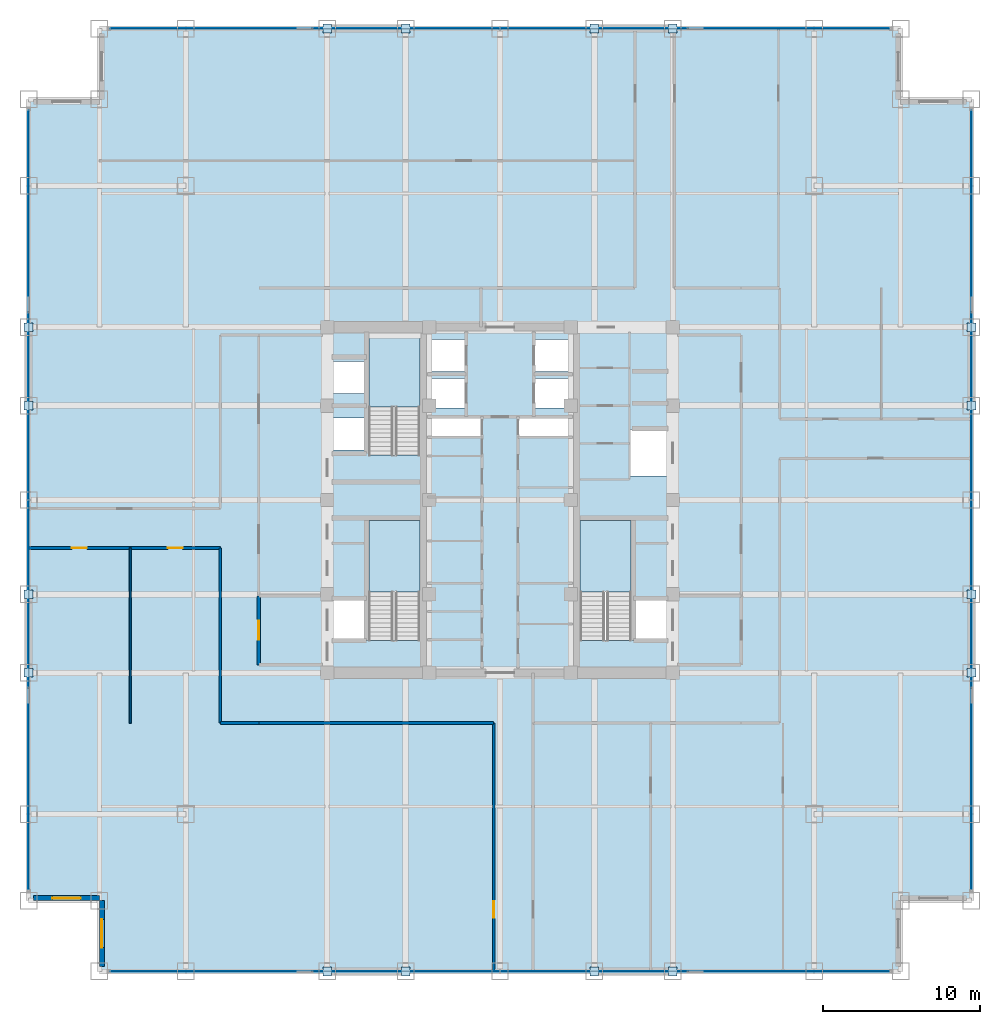
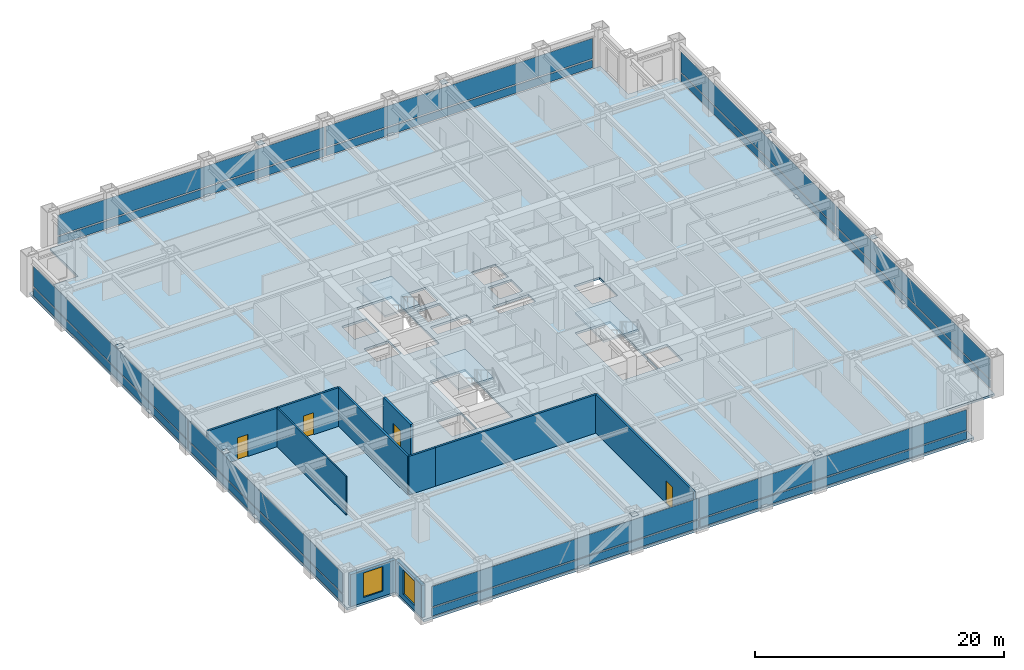
# One storey, part 19 of 25: 32 plates, 9 walls, 4 doors, 4 slabs, 2 windows, 6 openings, 7 elements without a shape of their own.
"""IFC4 building model written with IfcOpenShell, lengths in metres."""

from ifc_helpers import new_model, si_unit, direction, frame, frame_2d, origin, origin_2d, place, context, subcontext, project, spatial, polyline, rectangle, outline, extrude, source, transform, mapped, material, layer, layer_set, type_object, element, fill, aggregate, save


model = new_model("IFC4")

# Units and contexts
model_context = context("Model", 3, precision=1e-05, world=origin(), true_north=direction((0.0, 1.0)))
body_context = subcontext(model_context, "Body", "Model", "MODEL_VIEW")
ifc_project = project(units=[si_unit("LENGTHUNIT", "METRE"), si_unit("AREAUNIT", "SQUARE_METRE"), si_unit("VOLUMEUNIT", "CUBIC_METRE"), si_unit("PLANEANGLEUNIT", "RADIAN"), si_unit("MASSUNIT", "GRAM", prefix="KILO")], contexts=[model_context])

# Site, building, storey
site_placement = place(None, origin())
site = spatial("IfcSite", under=ifc_project, at=site_placement, CompositionType="ELEMENT")
building_placement = place(site_placement, origin())
building = spatial("IfcBuilding", under=site, at=building_placement, Name="Khorayat Bourse Tower", CompositionType="ELEMENT")
storey_placement = place(building_placement, frame((0.0, 0.0, 195.10009765625)))
storey = spatial("IfcBuildingStorey", under=building, at=storey_placement, Name="L45", CompositionType="ELEMENT", Elevation=195.10009765625)

# Stair, slab
ifc_material_1 = material(Name="Concrete C40/50", Category="concrete")
stair_type = type_object("IfcStairType", Name="STR-CORE-1550", PredefinedType="HALF_TURN_STAIR", material=ifc_material_1)
stair_1_placement = place(storey_placement, origin())
stair_1 = element("IfcStair", 1, at=stair_1_placement, inside=storey, type_object=stair_type, Name="L45 Exit Stair ST-1", PredefinedType="HALF_TURN_STAIR")
ifc_layer_1 = layer(ifc_material_1, 0.199951171875)
ifc_layer_set_1 = layer_set([ifc_layer_1], Name="Concrete C40/50")
slab_type_1 = type_object("IfcSlabType", Name="SLB-LANDING-200", PredefinedType="LANDING", material=ifc_layer_set_1)
slab_1_placement = place(storey_placement, frame((0.0, 0.0, 1.7998046875)))
slab_1 = element("IfcSlab", 2, at=slab_1_placement, type_object=slab_type_1, Name="ST-1 landing 1", PredefinedType="LANDING", context=body_context, shape_type="SweptSolid", body=[
    extrude(outline(polyline([(-5.10009765625, -5.8701171875), (-5.10009765625, -1.300048828125), (-8.35009765625, -1.300048828125), (-8.35009765625, -5.8701171875), (-5.10009765625, -5.8701171875)])), origin(), (0.0, 0.0, 1.0), 0.2001953125),
])
aggregate(stair_1, [slab_1])

stair_2_placement = place(storey_placement, origin())
stair_2 = element("IfcStair", 3, at=stair_2_placement, inside=storey, type_object=stair_type, Name="L45 Exit Stair ST-2", PredefinedType="HALF_TURN_STAIR")
slab_2_placement = place(storey_placement, frame((0.0, 0.0, 1.7998046875)))
slab_2 = element("IfcSlab", 4, at=slab_2_placement, type_object=slab_type_1, Name="ST-2 landing 1", PredefinedType="LANDING", context=body_context, shape_type="SweptSolid", body=[
    extrude(outline(polyline([(-5.10009765625, 5.929931640625), (-5.10009765625, 10.5), (-8.35009765625, 10.5), (-8.35009765625, 5.929931640625), (-5.10009765625, 5.929931640625)])), origin(), (0.0, 0.0, 1.0), 0.2001953125),
])
aggregate(stair_2, [slab_2])

stair_3_placement = place(storey_placement, origin())
stair_3 = element("IfcStair", 5, at=stair_3_placement, inside=storey, type_object=stair_type, Name="L45 Exit Stair ST-3", PredefinedType="HALF_TURN_STAIR")
slab_3_placement = place(storey_placement, frame((0.0, 0.0, 1.7998046875)))
slab_3 = element("IfcSlab", 6, at=slab_3_placement, type_object=slab_type_1, Name="ST-3 landing 1", PredefinedType="LANDING", context=body_context, shape_type="SweptSolid", body=[
    extrude(outline(polyline([(8.35009765625, -5.8701171875), (8.35009765625, -1.300048828125), (5.10009765625, -1.300048828125), (5.10009765625, -5.8701171875), (8.35009765625, -5.8701171875)])), origin(), (0.0, 0.0, 1.0), 0.2001953125),
])
aggregate(stair_3, [slab_3])

# Slab
ifc_layer_2 = layer(ifc_material_1, 0.219970703125)
ifc_layer_set_2 = layer_set([ifc_layer_2], Name="Concrete C40/50")
slab_type_2 = type_object("IfcSlabType", Name="SLB-OFFICE-220", PredefinedType="FLOOR", material=ifc_layer_set_2)
slab_4_placement = place(storey_placement, frame((0.0, 0.0, -0.22021484375)))
element("IfcSlab", 7, at=slab_4_placement, inside=storey, type_object=slab_type_2, Name="L45 Main Floor Slab", PredefinedType="FLOOR", context=body_context, shape_type="SweptSolid", body=[
    extrude(outline(polyline([(-25.5, -30.0), (25.5, -30.0), (25.5, -25.5), (30.0, -25.5), (30.0, 25.5), (25.5, 25.5), (25.5, 30.0), (-25.5, 30.0), (-25.5, 25.5), (-30.0, 25.5), (-30.0, -25.5), (-25.5, -25.5), (-25.5, -30.0)]), holes=[polyline([(-8.35009765625, -8.945068359375), (-5.10009765625, -8.945068359375), (-5.10009765625, -1.300048828125), (-8.35009765625, -1.300048828125), (-8.35009765625, -8.945068359375)]), polyline([(-8.35009765625, 2.85498046875), (-5.10009765625, 2.85498046875), (-5.10009765625, 10.5), (-8.35009765625, 10.5), (-8.35009765625, 2.85498046875)]), polyline([(5.10009765625, -8.945068359375), (8.35009765625, -8.945068359375), (8.35009765625, -1.300048828125), (5.10009765625, -1.300048828125), (5.10009765625, -8.945068359375)]), polyline([(-4.3798828125, 8.169921875), (-2.1201171875, 8.169921875), (-2.1201171875, 10.22998046875), (-4.3798828125, 10.22998046875), (-4.3798828125, 8.169921875)]), polyline([(2.1201171875, 8.169921875), (4.3798828125, 8.169921875), (4.3798828125, 10.22998046875), (2.1201171875, 10.22998046875), (2.1201171875, 8.169921875)]), polyline([(-4.3798828125, 5.8701171875), (-2.219970703125, 5.8701171875), (-2.219970703125, 7.72998046875), (-4.3798828125, 7.72998046875), (-4.3798828125, 5.8701171875)]), polyline([(2.219970703125, 5.8701171875), (4.3798828125, 5.8701171875), (4.3798828125, 7.72998046875), (2.219970703125, 7.72998046875), (2.219970703125, 5.8701171875)]), polyline([(-10.679931640625, 3.169921875), (-8.419921875, 3.169921875), (-8.419921875, 5.22998046875), (-10.679931640625, 5.22998046875), (-10.679931640625, 3.169921875)]), polyline([(-10.679931640625, 6.77001953125), (-8.419921875, 6.77001953125), (-8.419921875, 8.830078125), (-10.679931640625, 8.830078125), (-10.679931640625, 6.77001953125)]), polyline([(-10.679931640625, -8.929931640625), (-8.419921875, -8.929931640625), (-8.419921875, -6.3701171875), (-10.679931640625, -6.3701171875), (-10.679931640625, -8.929931640625)]), polyline([(8.419921875, -8.929931640625), (10.679931640625, -8.929931640625), (10.679931640625, -6.3701171875), (8.419921875, -6.3701171875), (8.419921875, -8.929931640625)]), polyline([(8.320068359375, 1.52001953125), (10.679931640625, 1.52001953125), (10.679931640625, 4.47998046875), (8.320068359375, 4.47998046875), (8.320068359375, 1.52001953125)]), polyline([(-4.56005859375, 4.080078125), (-1.18994140625, 4.080078125), (-1.18994140625, 5.219970703125), (-4.56005859375, 5.219970703125), (-4.56005859375, 4.080078125)]), polyline([(1.18994140625, 4.080078125), (4.56005859375, 4.080078125), (4.56005859375, 5.219970703125), (1.18994140625, 5.219970703125), (1.18994140625, 4.080078125)])]), origin(), (0.0, 0.0, 1.0), 0.22021484375),
])

# Plates
ifc_material_2 = material(Name="Steel EN 10025-2 S355J2", Category="steel")
ifc_layer_3 = layer(ifc_material_2, 0.02490234375)
ifc_layer_set_3 = layer_set([ifc_layer_3], Name="Steel EN 10025-2 S355J2")
plate_type_1 = type_object("IfcPlateType", Name="PLT-ENDCAP-25", PredefinedType="SHEET", material=ifc_layer_set_3)
shared_shape_1 = source(origin(), body_context, "Body", "SweptSolid", [
    extrude(rectangle(XDim=0.56005859375, YDim=0.56005859375, at=origin_2d()), origin(), (0.0, 0.0, 1.0), 0.02490234375),
])
for number, where, z_axis, x_axis, name in (
    (8, (-11.0, -30.0, 0.237548828125), (0.0, 0.0, 1.0), (1.0, 0.0, 0.0), "L45 Perimeter Brace End Plate 001"),
    (9, (-6.0, -30.0, 3.517333984375), (0.0, 0.0, 1.0), (1.0, 0.0, 0.0), "L45 Perimeter Brace End Plate 002"),
    (10, (6.0, -30.0, 0.237548828125), (0.0, 0.0, 1.0), (1.0, 0.0, 0.0), "L45 Perimeter Brace End Plate 003"),
    (11, (11.0, -30.0, 3.517333984375), (0.0, 0.0, 1.0), (1.0, 0.0, 0.0), "L45 Perimeter Brace End Plate 004"),
    (12, (-11.0, 30.0, 0.237548828125), (0.0, 0.0, 1.0), (1.0, 0.0, 0.0), "L45 Perimeter Brace End Plate 005"),
    (13, (-6.0, 30.0, 3.517333984375), (0.0, 0.0, 1.0), (1.0, 0.0, 0.0), "L45 Perimeter Brace End Plate 006"),
    (14, (6.0, 30.0, 0.237548828125), (0.0, 0.0, 1.0), (1.0, 0.0, 0.0), "L45 Perimeter Brace End Plate 007"),
    (15, (11.0, 30.0, 3.517333984375), (0.0, 0.0, 1.0), (1.0, 0.0, 0.0), "L45 Perimeter Brace End Plate 008"),
    (16, (-30.0, -11.0, 0.237548828125), (0.0, 0.0, 1.0), (1.0, 0.0, 0.0), "L45 Perimeter Brace End Plate 009"),
    (17, (-30.0, -6.0, 3.517333984375), (0.0, 0.0, 1.0), (1.0, 0.0, 0.0), "L45 Perimeter Brace End Plate 010"),
    (18, (-30.0, 6.0, 0.237548828125), (0.0, 0.0, 1.0), (1.0, 0.0, 0.0), "L45 Perimeter Brace End Plate 011"),
    (19, (-30.0, 11.0, 3.517333984375), (0.0, 0.0, 1.0), (1.0, 0.0, 0.0), "L45 Perimeter Brace End Plate 012"),
    (20, (30.0, -11.0, 0.237548828125), (0.0, 0.0, 1.0), (1.0, 0.0, 0.0), "L45 Perimeter Brace End Plate 013"),
    (21, (30.0, -6.0, 3.517333984375), (0.0, 0.0, 1.0), (1.0, 0.0, 0.0), "L45 Perimeter Brace End Plate 014"),
    (22, (30.0, 6.0, 0.237548828125), (0.0, 0.0, 1.0), (1.0, 0.0, 0.0), "L45 Perimeter Brace End Plate 015"),
    (23, (30.0, 11.0, 3.517333984375), (0.0, 0.0, 1.0), (1.0, 0.0, 0.0), "L45 Perimeter Brace End Plate 016"),
):
    element("IfcPlate", number, at=place(storey_placement, frame(where, z_axis=z_axis, x_axis=x_axis)), inside=storey, type_object=plate_type_1, Name=name, PredefinedType="SHEET", context=body_context, shape_type="MappedRepresentation", body=[
        mapped(shared_shape_1, transform((0.0, 0.0, 0.0), scale=1.0)),
    ])

# Curtain wall, plates
ifc_material_3 = material(Name="Aluminium EN AW-6063 T6", Category="aluminium")
curtain_wall_type = type_object("IfcCurtainWallType", Name="CW-SYS-03", PredefinedType="NOTDEFINED", material=ifc_material_3)
curtain_wall_1_placement = place(storey_placement, origin())
curtain_wall_1 = element("IfcCurtainWall", 24, at=curtain_wall_1_placement, inside=storey, type_object=curtain_wall_type, Name="L45 Curtain Wall CW-L45-S1", PredefinedType="NOTDEFINED")
ifc_material_4 = material(Name="Honed desert limestone insulated spandrel", Category="masonry")
ifc_layer_4 = layer(ifc_material_4, 0.06494140625)
ifc_layer_set_4 = layer_set([ifc_layer_4], Name="Honed desert limestone insulated spandrel")
plate_type_2 = type_object("IfcPlateType", Name="CWP-SPAND-03", PredefinedType="CURTAIN_PANEL", material=ifc_layer_set_4)
shared_shape_2 = source(origin(), body_context, "Body", "SweptSolid", [
    extrude(rectangle(XDim=24.719970703125, YDim=0.06494140625, at=origin_2d()), origin(), (0.0, 0.0, 1.0), 0.77001953125),
])
plate_1_placement = place(storey_placement, frame((-12.419921875, -30.0, 0.119873046875), z_axis=(0.0, 0.0, 1.0), x_axis=(1.0, 0.0, 0.0)))
plate_1 = element("IfcPlate", 25, at=plate_1_placement, type_object=plate_type_2, Name="CW-L45-S1 Spandrel Panel 1-1", PredefinedType="CURTAIN_PANEL", context=body_context, shape_type="MappedRepresentation", body=[
    mapped(shared_shape_2, transform((0.0, 0.0, 0.0), scale=1.0)),
])
plate_2_placement = place(storey_placement, frame((12.419921875, -30.0, 0.119873046875), z_axis=(0.0, 0.0, 1.0), x_axis=(1.0, 0.0, 0.0)))
plate_2 = element("IfcPlate", 26, at=plate_2_placement, type_object=plate_type_2, Name="CW-L45-S1 Spandrel Panel 2-1", PredefinedType="CURTAIN_PANEL", context=body_context, shape_type="MappedRepresentation", body=[
    mapped(shared_shape_2, transform((0.0, 0.0, 0.0), scale=1.0)),
])

curtain_wall_2_placement = place(storey_placement, origin())
curtain_wall_2 = element("IfcCurtainWall", 27, at=curtain_wall_2_placement, inside=storey, type_object=curtain_wall_type, Name="L45 Curtain Wall CW-L45-N1", PredefinedType="NOTDEFINED")
plate_3_placement = place(storey_placement, frame((-12.419921875, 30.0, 0.119873046875), z_axis=(0.0, 0.0, 1.0), x_axis=(1.0, 0.0, 0.0)))
plate_3 = element("IfcPlate", 28, at=plate_3_placement, type_object=plate_type_2, Name="CW-L45-N1 Spandrel Panel 1-1", PredefinedType="CURTAIN_PANEL", context=body_context, shape_type="MappedRepresentation", body=[
    mapped(shared_shape_2, transform((0.0, 0.0, 0.0), scale=1.0)),
])
plate_4_placement = place(storey_placement, frame((12.419921875, 30.0, 0.119873046875), z_axis=(0.0, 0.0, 1.0), x_axis=(1.0, 0.0, 0.0)))
plate_4 = element("IfcPlate", 29, at=plate_4_placement, type_object=plate_type_2, Name="CW-L45-N1 Spandrel Panel 2-1", PredefinedType="CURTAIN_PANEL", context=body_context, shape_type="MappedRepresentation", body=[
    mapped(shared_shape_2, transform((0.0, 0.0, 0.0), scale=1.0)),
])

curtain_wall_3_placement = place(storey_placement, origin())
curtain_wall_3 = element("IfcCurtainWall", 30, at=curtain_wall_3_placement, inside=storey, type_object=curtain_wall_type, Name="L45 Curtain Wall CW-L45-W1", PredefinedType="NOTDEFINED")
plate_5_placement = place(storey_placement, frame((-30.0, -12.419921875, 0.119873046875), z_axis=(0.0, 0.0, 1.0), x_axis=(0.0, 1.0, 0.0)))
plate_5 = element("IfcPlate", 31, at=plate_5_placement, type_object=plate_type_2, Name="CW-L45-W1 Spandrel Panel 1-1", PredefinedType="CURTAIN_PANEL", context=body_context, shape_type="MappedRepresentation", body=[
    mapped(shared_shape_2, transform((0.0, 0.0, 0.0), scale=1.0)),
])
plate_6_placement = place(storey_placement, frame((-30.0, 12.419921875, 0.119873046875), z_axis=(0.0, 0.0, 1.0), x_axis=(0.0, 1.0, 0.0)))
plate_6 = element("IfcPlate", 32, at=plate_6_placement, type_object=plate_type_2, Name="CW-L45-W1 Spandrel Panel 2-1", PredefinedType="CURTAIN_PANEL", context=body_context, shape_type="MappedRepresentation", body=[
    mapped(shared_shape_2, transform((0.0, 0.0, 0.0), scale=1.0)),
])

curtain_wall_4_placement = place(storey_placement, origin())
curtain_wall_4 = element("IfcCurtainWall", 33, at=curtain_wall_4_placement, inside=storey, type_object=curtain_wall_type, Name="L45 Curtain Wall CW-L45-E1", PredefinedType="NOTDEFINED")
plate_7_placement = place(storey_placement, frame((30.0, -12.419921875, 0.119873046875), z_axis=(0.0, 0.0, 1.0), x_axis=(0.0, 1.0, 0.0)))
plate_7 = element("IfcPlate", 34, at=plate_7_placement, type_object=plate_type_2, Name="CW-L45-E1 Spandrel Panel 1-1", PredefinedType="CURTAIN_PANEL", context=body_context, shape_type="MappedRepresentation", body=[
    mapped(shared_shape_2, transform((0.0, 0.0, 0.0), scale=1.0)),
])
plate_8_placement = place(storey_placement, frame((30.0, 12.419921875, 0.119873046875), z_axis=(0.0, 0.0, 1.0), x_axis=(0.0, 1.0, 0.0)))
plate_8 = element("IfcPlate", 35, at=plate_8_placement, type_object=plate_type_2, Name="CW-L45-E1 Spandrel Panel 2-1", PredefinedType="CURTAIN_PANEL", context=body_context, shape_type="MappedRepresentation", body=[
    mapped(shared_shape_2, transform((0.0, 0.0, 0.0), scale=1.0)),
])

# Plate
ifc_material_5 = material(Name="Low-E solar-control laminated double glazing", Category="glass")
ifc_layer_5 = layer(ifc_material_5, 0.035888671875)
ifc_layer_set_5 = layer_set([ifc_layer_5], Name="Low-E solar-control laminated double glazing")
plate_type_3 = type_object("IfcPlateType", Name="CWP-VIS-01", PredefinedType="CURTAIN_PANEL", material=ifc_layer_set_5)
shared_shape_3 = source(origin(), body_context, "Body", "SweptSolid", [
    extrude(rectangle(XDim=24.719970703125, YDim=0.035888671875, at=origin_2d()), origin(), (0.0, 0.0, 1.0), 2.0),
])
plate_9_placement = place(storey_placement, frame((-12.419921875, -30.0, 1.010009765625), z_axis=(0.0, 0.0, 1.0), x_axis=(1.0, 0.0, 0.0)))
plate_9 = element("IfcPlate", 36, at=plate_9_placement, type_object=plate_type_3, Name="CW-L45-S1 Vision Panel 1-2", PredefinedType="CURTAIN_PANEL", context=body_context, shape_type="MappedRepresentation", body=[
    mapped(shared_shape_3, transform((0.0, 0.0, 0.0), scale=1.0)),
])

plate_10_placement = place(storey_placement, frame((12.419921875, -30.0, 1.010009765625), z_axis=(0.0, 0.0, 1.0), x_axis=(1.0, 0.0, 0.0)))
plate_10 = element("IfcPlate", 37, at=plate_10_placement, type_object=plate_type_3, Name="CW-L45-S1 Vision Panel 2-2", PredefinedType="CURTAIN_PANEL", context=body_context, shape_type="MappedRepresentation", body=[
    mapped(shared_shape_3, transform((0.0, 0.0, 0.0), scale=1.0)),
])

aggregate(curtain_wall_1, [plate_1, plate_9, plate_2, plate_10])

plate_11_placement = place(storey_placement, frame((-12.419921875, 30.0, 1.010009765625), z_axis=(0.0, 0.0, 1.0), x_axis=(1.0, 0.0, 0.0)))
plate_11 = element("IfcPlate", 38, at=plate_11_placement, type_object=plate_type_3, Name="CW-L45-N1 Vision Panel 1-2", PredefinedType="CURTAIN_PANEL", context=body_context, shape_type="MappedRepresentation", body=[
    mapped(shared_shape_3, transform((0.0, 0.0, 0.0), scale=1.0)),
])

plate_12_placement = place(storey_placement, frame((12.419921875, 30.0, 1.010009765625), z_axis=(0.0, 0.0, 1.0), x_axis=(1.0, 0.0, 0.0)))
plate_12 = element("IfcPlate", 39, at=plate_12_placement, type_object=plate_type_3, Name="CW-L45-N1 Vision Panel 2-2", PredefinedType="CURTAIN_PANEL", context=body_context, shape_type="MappedRepresentation", body=[
    mapped(shared_shape_3, transform((0.0, 0.0, 0.0), scale=1.0)),
])

aggregate(curtain_wall_2, [plate_3, plate_11, plate_4, plate_12])

plate_13_placement = place(storey_placement, frame((-30.0, -12.419921875, 1.010009765625), z_axis=(0.0, 0.0, 1.0), x_axis=(0.0, 1.0, 0.0)))
plate_13 = element("IfcPlate", 40, at=plate_13_placement, type_object=plate_type_3, Name="CW-L45-W1 Vision Panel 1-2", PredefinedType="CURTAIN_PANEL", context=body_context, shape_type="MappedRepresentation", body=[
    mapped(shared_shape_3, transform((0.0, 0.0, 0.0), scale=1.0)),
])

plate_14_placement = place(storey_placement, frame((-30.0, 12.419921875, 1.010009765625), z_axis=(0.0, 0.0, 1.0), x_axis=(0.0, 1.0, 0.0)))
plate_14 = element("IfcPlate", 41, at=plate_14_placement, type_object=plate_type_3, Name="CW-L45-W1 Vision Panel 2-2", PredefinedType="CURTAIN_PANEL", context=body_context, shape_type="MappedRepresentation", body=[
    mapped(shared_shape_3, transform((0.0, 0.0, 0.0), scale=1.0)),
])

aggregate(curtain_wall_3, [plate_5, plate_13, plate_6, plate_14])

plate_15_placement = place(storey_placement, frame((30.0, -12.419921875, 1.010009765625), z_axis=(0.0, 0.0, 1.0), x_axis=(0.0, 1.0, 0.0)))
plate_15 = element("IfcPlate", 42, at=plate_15_placement, type_object=plate_type_3, Name="CW-L45-E1 Vision Panel 1-2", PredefinedType="CURTAIN_PANEL", context=body_context, shape_type="MappedRepresentation", body=[
    mapped(shared_shape_3, transform((0.0, 0.0, 0.0), scale=1.0)),
])

plate_16_placement = place(storey_placement, frame((30.0, 12.419921875, 1.010009765625), z_axis=(0.0, 0.0, 1.0), x_axis=(0.0, 1.0, 0.0)))
plate_16 = element("IfcPlate", 43, at=plate_16_placement, type_object=plate_type_3, Name="CW-L45-E1 Vision Panel 2-2", PredefinedType="CURTAIN_PANEL", context=body_context, shape_type="MappedRepresentation", body=[
    mapped(shared_shape_3, transform((0.0, 0.0, 0.0), scale=1.0)),
])

aggregate(curtain_wall_4, [plate_7, plate_15, plate_8, plate_16])

# Wall, opening, window
ifc_material_6 = material(Name="Precast concrete C45/55", Category="concrete")
ifc_layer_6 = layer(ifc_material_6, 0.320068359375)
ifc_layer_set_6 = layer_set([ifc_layer_6], Name="Precast concrete C45/55")
wall_type_1 = type_object("IfcWallType", Name="WAL-EXT-STONE-320", PredefinedType="STANDARD", material=ifc_layer_set_6)
shared_shape_4 = source(origin(), body_context, "Body", "SweptSolid", [
    extrude(rectangle(XDim=4.179931640625, YDim=0.320068359375, at=frame_2d((2.08984375, 0.0))), origin(), (0.0, 0.0, 1.0), 3.163818359375),
])
wall_1_placement = place(storey_placement, frame((-25.5, -25.340087890625, 0.0), z_axis=(0.0, 0.0, 1.0), x_axis=(-1.0, 0.0, 0.0)))
wall_1 = element("IfcWall", 44, at=wall_1_placement, inside=storey, type_object=wall_type_1, Name="L45 Re-Entrant Notch Limestone Wall SW-H", PredefinedType="STANDARD", context=body_context, shape_type="MappedRepresentation", body=[
    mapped(shared_shape_4, transform((0.0, 0.0, 0.0), scale=1.0)),
])
shared_shape_5 = source(origin(), body_context, "Body", "SweptSolid", [
    extrude(rectangle(XDim=1.800048828125, YDim=2.39990234375, at=frame_2d((0.89990234375, 1.199951171875))), frame((0.0, 0.169921875, 0.0), z_axis=(0.0, -1.0, 0.0), x_axis=(1.0, 0.0, 0.0)), (0.0, 0.0, 1.0), 0.340087890625),
])
opening_1_placement = place(wall_1_placement, frame((1.18994140625, 0.0, 0.5)))
opening_1 = element("IfcOpeningElement", 45, at=opening_1_placement, cuts=wall_1, Name="Opening WN-04", PredefinedType="OPENING", context=body_context, shape_type="MappedRepresentation", body=[
    mapped(shared_shape_5, transform((0.0, 0.0, 0.0), scale=1.0)),
])
ifc_material_7 = material(Name="Low-E acoustic laminated double glazing", Category="glass")
window_type = type_object("IfcWindowType", Name="WIN-NOTCH-1800x2400", PartitioningType="SINGLE_PANEL", PredefinedType="WINDOW", material=ifc_material_7)
shared_shape_6 = source(origin(), body_context, "Body", "SweptSolid", [
    extrude(rectangle(XDim=1.800048828125, YDim=2.39990234375, at=frame_2d((0.89990234375, 1.199951171875))), frame((0.0, 0.030029296875, 0.0), z_axis=(0.0, -1.0, 0.0), x_axis=(1.0, 0.0, 0.0)), (0.0, 0.0, 1.0), 0.06005859375),
])
window_1_placement = place(opening_1_placement, origin())
window_1 = element("IfcWindow", 46, at=window_1_placement, inside=storey, type_object=window_type, Name="L45 Facade Window 1", OverallHeight=2.39990234375, OverallWidth=1.800048828125, PartitioningType="SINGLE_PANEL", PredefinedType="WINDOW", context=body_context, shape_type="MappedRepresentation", body=[
    mapped(shared_shape_6, transform((0.0, 0.0, 0.0), scale=1.0)),
])
fill(opening_1, window_1)

wall_2_placement = place(storey_placement, frame((-25.340087890625, -29.679931640625, 0.0), z_axis=(0.0, 0.0, 1.0), x_axis=(0.0, 1.0, 0.0)))
wall_2 = element("IfcWall", 47, at=wall_2_placement, inside=storey, type_object=wall_type_1, Name="L45 Re-Entrant Notch Limestone Wall SW-V", PredefinedType="STANDARD", context=body_context, shape_type="MappedRepresentation", body=[
    mapped(shared_shape_4, transform((0.0, 0.0, 0.0), scale=1.0)),
])
opening_2_placement = place(wall_2_placement, frame((1.18994140625, 0.0, 0.5)))
opening_2 = element("IfcOpeningElement", 48, at=opening_2_placement, cuts=wall_2, Name="Opening WN-04", PredefinedType="OPENING", context=body_context, shape_type="MappedRepresentation", body=[
    mapped(shared_shape_5, transform((0.0, 0.0, 0.0), scale=1.0)),
])
window_2_placement = place(opening_2_placement, origin())
window_2 = element("IfcWindow", 49, at=window_2_placement, inside=storey, type_object=window_type, Name="L45 Facade Window 1", OverallHeight=2.39990234375, OverallWidth=1.800048828125, PartitioningType="SINGLE_PANEL", PredefinedType="WINDOW", context=body_context, shape_type="MappedRepresentation", body=[
    mapped(shared_shape_6, transform((0.0, 0.0, 0.0), scale=1.0)),
])
fill(opening_2, window_2)

# Wall, opening, door
ifc_material_8 = material(Name="Aerated concrete blockwork", Category="masonry")
ifc_layer_7 = layer(ifc_material_8, 0.219970703125)
ifc_layer_set_7 = layer_set([ifc_layer_7], Name="Aerated concrete blockwork")
wall_type_2 = type_object("IfcWallType", Name="WAL-PART-FF-220", PredefinedType="PARTITIONING", material=ifc_layer_set_7)
shared_shape_7 = source(origin(), body_context, "Body", "SweptSolid", [
    extrude(rectangle(XDim=4.39990234375, YDim=0.219970703125, at=frame_2d((2.199951171875, 0.0))), origin(), (0.0, 0.0, 1.0), 3.77978515625),
])
wall_3_placement = place(storey_placement, frame((-15.35009765625, -10.5, 0.0), z_axis=(0.0, 0.0, 1.0), x_axis=(0.0, 1.0, 0.0)))
wall_3 = element("IfcWall", 50, at=wall_3_placement, inside=storey, type_object=wall_type_2, Name="L45 Partition WAL-L45-FFLW-W", PredefinedType="PARTITIONING", context=body_context, shape_type="MappedRepresentation", body=[
    mapped(shared_shape_7, transform((0.0, 0.0, 0.0), scale=1.0)),
])
shared_shape_8 = source(origin(), body_context, "Body", "SweptSolid", [
    extrude(rectangle(XDim=1.199951171875, YDim=2.199951171875, at=frame_2d((0.60009765625, 1.10009765625))), frame((0.0, 0.119873046875, 0.0), z_axis=(0.0, -1.0, 0.0), x_axis=(1.0, 0.0, 0.0)), (0.0, 0.0, 1.0), 0.239990234375),
])
opening_3_placement = place(wall_3_placement, frame((1.60009765625, 0.0, 0.0)))
opening_3 = element("IfcOpeningElement", 51, at=opening_3_placement, cuts=wall_3, Name="Opening DI-02", PredefinedType="OPENING", context=body_context, shape_type="MappedRepresentation", body=[
    mapped(shared_shape_8, transform((0.0, 0.0, 0.0), scale=1.0)),
])
ifc_material_9 = material(Name="Fire-rated steel double-seal leaf", Category="steel")
door_type_1 = type_object("IfcDoorType", Name="DR-INT-FFLOBBY-1200", OperationType="NOTDEFINED", PredefinedType="DOOR", material=ifc_material_9)
shared_shape_9 = source(origin(), body_context, "Body", "SweptSolid", [
    extrude(rectangle(XDim=1.199951171875, YDim=2.199951171875, at=frame_2d((0.60009765625, 1.10009765625))), frame((0.0, 0.02490234375, 0.0), z_axis=(0.0, -1.0, 0.0), x_axis=(1.0, 0.0, 0.0)), (0.0, 0.0, 1.0), 0.050048828125),
])
door_1_placement = place(opening_3_placement, origin())
door_1 = element("IfcDoor", 52, at=door_1_placement, inside=storey, type_object=door_type_1, Name="L45 West Firefighting Lobby Door", OperationType="SINGLE_SWING_LEFT", OverallHeight=2.199951171875, OverallWidth=1.199951171875, PredefinedType="DOOR", context=body_context, shape_type="MappedRepresentation", body=[
    mapped(shared_shape_9, transform((0.0, 0.0, 0.0), scale=1.0)),
])
fill(opening_3, door_1)

# Wall
ifc_material_10 = material(Name="Gypsum plasterboard acoustic stud wall")
ifc_layer_8 = layer(ifc_material_10, 0.179931640625)
ifc_layer_set_8 = layer_set([ifc_layer_8], Name="Gypsum plasterboard acoustic stud wall")
wall_type_3 = type_object("IfcWallType", Name="WAL-PART-CORR-180", PredefinedType="PARTITIONING", material=ifc_layer_set_8)
shared_shape_10 = source(origin(), body_context, "Body", "SweptSolid", [
    extrude(rectangle(XDim=2.449951171875, YDim=0.179931640625, at=frame_2d((1.22509765625, 0.0))), origin(), (0.0, 0.0, 1.0), 3.77978515625),
])
wall_4_placement = place(storey_placement, frame((-17.800048828125, -14.199951171875, 0.0), z_axis=(0.0, 0.0, 1.0), x_axis=(1.0, 0.0, 0.0)))
element("IfcWall", 53, at=wall_4_placement, inside=storey, type_object=wall_type_3, Name="L45 Partition WAL-L45-C2-WS", PredefinedType="PARTITIONING", context=body_context, shape_type="MappedRepresentation", body=[
    mapped(shared_shape_10, transform((0.0, 0.0, 0.0), scale=1.0)),
])

# Wall, opening, door
shared_shape_11 = source(origin(), body_context, "Body", "SweptSolid", [
    extrude(rectangle(XDim=15.800048828125, YDim=0.179931640625, at=frame_2d((7.89990234375, 0.0))), origin(), (0.0, 0.0, 1.0), 3.77978515625),
])
wall_5_placement = place(storey_placement, frame((-0.39990234375, -30.0, 0.0), z_axis=(0.0, 0.0, 1.0), x_axis=(0.0, 1.0, 0.0)))
wall_5 = element("IfcWall", 54, at=wall_5_placement, inside=storey, type_object=wall_type_3, Name="L45 Partition WAL-L45-QSW-SPK", PredefinedType="PARTITIONING", context=body_context, shape_type="MappedRepresentation", body=[
    mapped(shared_shape_11, transform((0.0, 0.0, 0.0), scale=1.0)),
])
shared_shape_12 = source(origin(), body_context, "Body", "SweptSolid", [
    extrude(rectangle(XDim=1.050048828125, YDim=2.199951171875, at=frame_2d((0.52490234375, 1.10009765625))), frame((0.0, 0.099853515625, 0.0), z_axis=(0.0, -1.0, 0.0), x_axis=(1.0, 0.0, 0.0)), (0.0, 0.0, 1.0), 0.199951171875),
])
opening_4_placement = place(wall_5_placement, frame((3.425048828125, 0.0, 0.0)))
opening_4 = element("IfcOpeningElement", 55, at=opening_4_placement, cuts=wall_5, Name="Opening DI-04", PredefinedType="OPENING", context=body_context, shape_type="MappedRepresentation", body=[
    mapped(shared_shape_12, transform((0.0, 0.0, 0.0), scale=1.0)),
])
ifc_material_11 = material(Name="Fire-rated oak veneer suite entrance door")
door_type_2 = type_object("IfcDoorType", Name="DR-INT-SUITE-1050", OperationType="NOTDEFINED", PredefinedType="DOOR", material=ifc_material_11)
shared_shape_13 = source(origin(), body_context, "Body", "SweptSolid", [
    extrude(rectangle(XDim=1.050048828125, YDim=2.199951171875, at=frame_2d((0.52490234375, 1.10009765625))), frame((0.0, 0.02490234375, 0.0), z_axis=(0.0, -1.0, 0.0), x_axis=(1.0, 0.0, 0.0)), (0.0, 0.0, 1.0), 0.050048828125),
])
door_2_placement = place(opening_4_placement, origin())
door_2 = element("IfcDoor", 56, at=door_2_placement, inside=storey, type_object=door_type_2, Name="L45 South-West Radial Spoke Entry", OperationType="SINGLE_SWING_LEFT", OverallHeight=2.199951171875, OverallWidth=1.050048828125, PredefinedType="DOOR", context=body_context, shape_type="MappedRepresentation", body=[
    mapped(shared_shape_13, transform((0.0, 0.0, 0.0), scale=1.0)),
])
fill(opening_4, door_2)

# Wall, openings, doors
shared_shape_14 = source(origin(), body_context, "Body", "SweptSolid", [
    extrude(rectangle(XDim=12.199951171875, YDim=0.179931640625, at=frame_2d((6.10009765625, 0.0))), origin(), (0.0, 0.0, 1.0), 3.77978515625),
])
wall_6_placement = place(storey_placement, frame((-30.0, -3.050048828125, 0.0), z_axis=(0.0, 0.0, 1.0), x_axis=(1.0, 0.0, 0.0)))
wall_6 = element("IfcWall", 57, at=wall_6_placement, inside=storey, type_object=wall_type_3, Name="L45 Partition WAL-L45-WS-SPK", PredefinedType="PARTITIONING", context=body_context, shape_type="MappedRepresentation", body=[
    mapped(shared_shape_14, transform((0.0, 0.0, 0.0), scale=1.0)),
])
shared_shape_15 = source(origin(), body_context, "Body", "SweptSolid", [
    extrude(rectangle(XDim=0.949951171875, YDim=2.14990234375, at=frame_2d((0.47509765625, 1.074951171875))), frame((0.0, 0.099853515625, 0.0), z_axis=(0.0, -1.0, 0.0), x_axis=(1.0, 0.0, 0.0)), (0.0, 0.0, 1.0), 0.199951171875),
])
opening_5_placement = place(wall_6_placement, frame((2.758056640625, 0.0, 0.0)))
opening_5 = element("IfcOpeningElement", 58, at=opening_5_placement, cuts=wall_6, Name="Opening DI-05", PredefinedType="OPENING", context=body_context, shape_type="MappedRepresentation", body=[
    mapped(shared_shape_15, transform((0.0, 0.0, 0.0), scale=1.0)),
])
opening_6_placement = place(wall_6_placement, frame((8.85791015625, 0.0, 0.0)))
opening_6 = element("IfcOpeningElement", 59, at=opening_6_placement, cuts=wall_6, Name="Opening DI-05", PredefinedType="OPENING", context=body_context, shape_type="MappedRepresentation", body=[
    mapped(shared_shape_15, transform((0.0, 0.0, 0.0), scale=1.0)),
])
ifc_material_12 = material(Name="Acoustic oak veneer office door")
door_type_3 = type_object("IfcDoorType", Name="DR-INT-OFFICE-950", OperationType="NOTDEFINED", PredefinedType="DOOR", material=ifc_material_12)
shared_shape_16 = source(origin(), body_context, "Body", "SweptSolid", [
    extrude(rectangle(XDim=0.949951171875, YDim=2.14990234375, at=frame_2d((0.47509765625, 1.074951171875))), frame((0.0, 0.02490234375, 0.0), z_axis=(0.0, -1.0, 0.0), x_axis=(1.0, 0.0, 0.0)), (0.0, 0.0, 1.0), 0.050048828125),
])
door_3_placement = place(opening_5_placement, origin())
door_3 = element("IfcDoor", 60, at=door_3_placement, inside=storey, type_object=door_type_3, Name="L45 Staff Tea Pantry WSA Door", OperationType="SINGLE_SWING_LEFT", OverallHeight=2.14990234375, OverallWidth=0.949951171875, PredefinedType="DOOR", context=body_context, shape_type="MappedRepresentation", body=[
    mapped(shared_shape_16, transform((0.0, 0.0, 0.0), scale=1.0)),
])
fill(opening_5, door_3)
door_4_placement = place(opening_6_placement, origin())
door_4 = element("IfcDoor", 61, at=door_4_placement, inside=storey, type_object=door_type_3, Name="L45 Quantitative Research Study WSB Door", OperationType="SINGLE_SWING_RIGHT", OverallHeight=2.14990234375, OverallWidth=0.949951171875, PredefinedType="DOOR", context=body_context, shape_type="MappedRepresentation", body=[
    mapped(shared_shape_16, transform((0.0, 0.0, 0.0), scale=1.0)),
])
fill(opening_6, door_4)

# Walls
shared_shape_17 = source(origin(), body_context, "Body", "SweptSolid", [
    extrude(rectangle(XDim=14.9501953125, YDim=0.179931640625, at=frame_2d((7.47509765625, 0.0))), origin(), (0.0, 0.0, 1.0), 3.77978515625),
])
wall_7_placement = place(storey_placement, frame((-15.35009765625, -14.199951171875, 0.0), z_axis=(0.0, 0.0, 1.0), x_axis=(1.0, 0.0, 0.0)))
element("IfcWall", 62, at=wall_7_placement, inside=storey, type_object=wall_type_3, Name="L45 Partition WAL-L45-QSW-HC", PredefinedType="PARTITIONING", context=body_context, shape_type="MappedRepresentation", body=[
    mapped(shared_shape_17, transform((0.0, 0.0, 0.0), scale=1.0)),
])
ifc_material_13 = material(Name="Gypsum plasterboard partition")
ifc_layer_9 = layer(ifc_material_13, 0.125)
ifc_layer_set_9 = layer_set([ifc_layer_9], Name="Gypsum plasterboard partition")
wall_type_4 = type_object("IfcWallType", Name="WAL-PART-ROOM-125", PredefinedType="PARTITIONING", material=ifc_layer_set_9)
shared_shape_18 = source(origin(), body_context, "Body", "SweptSolid", [
    extrude(rectangle(XDim=11.14990234375, YDim=0.125, at=frame_2d((5.574951171875, 0.0))), origin(), (0.0, 0.0, 1.0), 3.77978515625),
])
wall_8_placement = place(storey_placement, frame((-23.533935546875, -14.199951171875, 0.0), z_axis=(0.0, 0.0, 1.0), x_axis=(0.0, 1.0, 0.0)))
element("IfcWall", 63, at=wall_8_placement, inside=storey, type_object=wall_type_4, Name="L45 Partition WAL-L45-WS-DV", PredefinedType="PARTITIONING", context=body_context, shape_type="MappedRepresentation", body=[
    mapped(shared_shape_18, transform((0.0, 0.0, 0.0), scale=1.0)),
])
shared_shape_19 = source(origin(), body_context, "Body", "SweptSolid", [
    extrude(rectangle(XDim=11.14990234375, YDim=0.179931640625, at=frame_2d((5.574951171875, 0.0))), origin(), (0.0, 0.0, 1.0), 3.77978515625),
])
wall_9_placement = place(storey_placement, frame((-17.800048828125, -14.199951171875, 0.0), z_axis=(0.0, 0.0, 1.0), x_axis=(0.0, 1.0, 0.0)))
element("IfcWall", 64, at=wall_9_placement, inside=storey, type_object=wall_type_3, Name="L45 Partition WAL-L45-WS-IN", PredefinedType="PARTITIONING", context=body_context, shape_type="MappedRepresentation", body=[
    mapped(shared_shape_19, transform((0.0, 0.0, 0.0), scale=1.0)),
])

save(model, "model.ifc")
